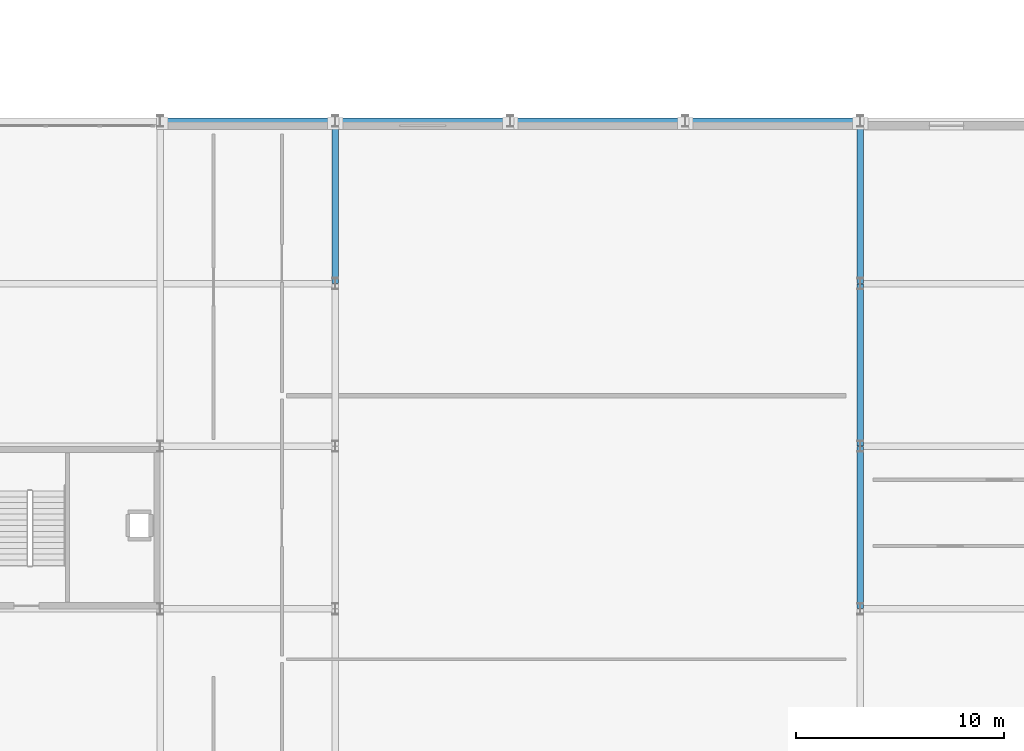
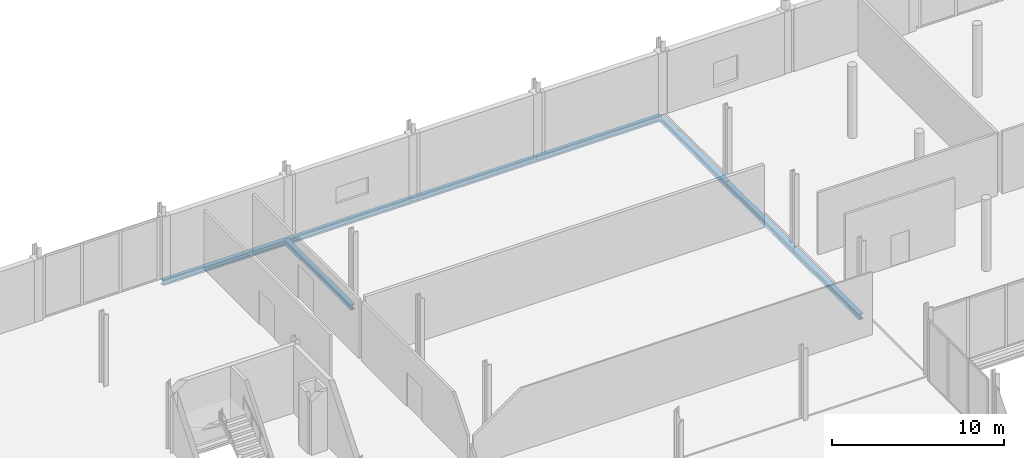
# One storey, part 45 of 105: 8 beams.
"""IFC4 building model written with IfcOpenShell, lengths in metres."""

import ifcopenshell
import ifcopenshell.guid

model = None  # the IFC model being written
_history = None  # IfcOwnerHistory: only IFC2X3 demands one
_inside = {}  # id of a spatial element -> (the spatial element, [elements in it])
_under = {}  # id of a project, library or spatial element -> (it, [spatial elements below it])
_declared = {}  # id of a project -> (the project, [libraries it declares])
_typed = {}  # id of a type object -> (the type object, [elements of that type])
_made_of = {}  # id of a material, layer set ... -> (it, [elements and type objects made of it])


def new_model(schema):
    """Start an empty IFC model of exactly this schema.

    Asked for "IFC4X3", IfcOpenShell would pick the latest addendum, in which some entities
    have other attributes; the version numbers below select the first issue.
    IFC2X3 requires an IfcOwnerHistory on every rooted entity: one is made here for all.
    """
    global model, _history
    if schema == "IFC4X3":
        model = ifcopenshell.file(schema_version=(4, 3, 0, 0))
    else:
        model = ifcopenshell.file(schema=schema)
    _inside.clear()
    _under.clear()
    _declared.clear()
    _typed.clear()
    _made_of.clear()
    _history = None
    if model.schema == "IFC2X3":
        org = make("IfcOrganization", Name="unknown")
        user = make(
            "IfcPersonAndOrganization",
            ThePerson=make("IfcPerson", FamilyName="unknown"),
            TheOrganization=org,
        )
        app = make(
            "IfcApplication",
            ApplicationDeveloper=org,
            Version="unknown",
            ApplicationFullName="unknown",
            ApplicationIdentifier="unknown",
        )
        _history = make(
            "IfcOwnerHistory",
            OwningUser=user,
            OwningApplication=app,
            ChangeAction="ADDED",
            CreationDate=0,
        )
    return model


def make(cls, **values):
    """One entity of the class cls with the attributes given. An attribute that is None is left unset."""
    return model.create_entity(
        cls, **{name: value for name, value in values.items() if value is not None}
    )


def rooted(cls, **values):
    """An entity with a GlobalId (a new one), such as an element, a storey or a relation."""
    return make(cls, GlobalId=ifcopenshell.guid.new(), OwnerHistory=_history, **values)


def si_unit(unit_type, name, prefix=None):
    """IfcSIUnit, for example si_unit("LENGTHUNIT", "METRE", prefix="MILLI")."""
    return make("IfcSIUnit", UnitType=unit_type, Prefix=prefix, Name=name)


def assignment(units):
    """IfcUnitAssignment: the units of a project."""
    return None if units is None else make("IfcUnitAssignment", Units=units)


def point(xyz):
    """IfcCartesianPoint."""
    return None if xyz is None else make("IfcCartesianPoint", Coordinates=xyz)


def direction(xyz):
    """IfcDirection."""
    return None if xyz is None else make("IfcDirection", DirectionRatios=xyz)


def frame(location, z_axis=None, x_axis=None):
    """IfcAxis2Placement3D, a coordinate frame: its origin and axes. An axis left out is left unset."""
    return make(
        "IfcAxis2Placement3D",
        Location=point(location),
        Axis=direction(z_axis),
        RefDirection=direction(x_axis),
    )


def frame_2d(location, x_axis=None):
    """IfcAxis2Placement2D, a coordinate frame in the plane: its origin and x axis."""
    return make(
        "IfcAxis2Placement2D", Location=point(location), RefDirection=direction(x_axis)
    )


def origin():
    """The frame at (0, 0, 0) with its axes left unset."""
    return frame((0.0, 0.0, 0.0))


def origin_2d():
    """The frame at (0, 0) in the plane with its x axis left unset."""
    return frame_2d((0.0, 0.0))


def place(relative_to, where):
    """IfcLocalPlacement: puts the frame where relative to a parent placement (None: the world)."""
    return make(
        "IfcLocalPlacement", PlacementRelTo=relative_to, RelativePlacement=where
    )


def context(
    kind, dimensions, precision=None, world=None, true_north=None, identifier=None
):
    """IfcGeometricRepresentationContext, for example the 3D "Model" context."""
    return make(
        "IfcGeometricRepresentationContext",
        ContextIdentifier=identifier,
        ContextType=kind,
        CoordinateSpaceDimension=dimensions,
        Precision=precision,
        WorldCoordinateSystem=world,
        TrueNorth=true_north,
    )


def subcontext(parent, identifier, kind, view, scale=None):
    """IfcGeometricRepresentationSubContext, for example "Body" below "Model"."""
    return make(
        "IfcGeometricRepresentationSubContext",
        ContextIdentifier=identifier,
        ContextType=kind,
        ParentContext=parent,
        TargetScale=scale,
        TargetView=view,
    )


def project(units=None, contexts=None):
    """IfcProject with its units and contexts."""
    return rooted(
        "IfcProject",
        Name="project",
        RepresentationContexts=contexts,
        UnitsInContext=assignment(units),
    )


def spatial(cls, under=None, at=None, **own):
    """A site, building, storey or space (cls), placed at a placement, below another one or the project."""
    s = rooted(cls, ObjectPlacement=at, **own)
    if under is not None:
        _under.setdefault(under.id(), (under, []))[1].append(s)
    return s


def profile(cls, at=None, kind="AREA", **sizes):
    """A parametric profile (cls). Its sizes go by their IFC names, for example OverallWidth=200.0."""
    return make(cls, ProfileType=kind, Position=at, **sizes)


def i_section(**sizes):
    """IfcIShapeProfileDef."""
    return profile("IfcIShapeProfileDef", **sizes)


def extrude(swept, where, along, depth):
    """IfcExtrudedAreaSolid: the profile swept, set in the frame where, extruded along a direction by depth."""
    return make(
        "IfcExtrudedAreaSolid",
        SweptArea=swept,
        Position=where,
        ExtrudedDirection=direction(along),
        Depth=depth,
    )


def shape(context_of_items, identifier, shape_type, items):
    """IfcShapeRepresentation: the items that make up one representation, for example the "Body"."""
    return make(
        "IfcShapeRepresentation",
        ContextOfItems=context_of_items,
        RepresentationIdentifier=identifier,
        RepresentationType=shape_type,
        Items=items,
    )


def material(Name=None, Category=None):
    """IfcMaterial."""
    return make("IfcMaterial", Name=Name, Category=Category)


def material_profile(
    of_material, cross_section, Name=None, Category=None, Priority=None
):
    """IfcMaterialProfile: a cross section and its material."""
    return make(
        "IfcMaterialProfile",
        Name=Name,
        Material=of_material,
        Profile=cross_section,
        Priority=Priority,
        Category=Category,
    )


def profile_set(profiles, Name=None, composite=None):
    """IfcMaterialProfileSet."""
    return make(
        "IfcMaterialProfileSet",
        Name=Name,
        MaterialProfiles=profiles,
        CompositeProfile=composite,
    )


def made_of(thing, what):
    """Note that an element or type object is made of a material, layer set ...; save() writes the relation."""
    if what is not None:
        _made_of.setdefault(what.id(), (what, []))[1].append(thing)
    return thing


def type_object(cls, material=None, **own):
    """A type object (cls), such as IfcWallType, which elements share."""
    return made_of(rooted(cls, **own), material)


def element(
    cls,
    number,
    at=None,
    inside=None,
    cuts=None,
    type_object=None,
    material=None,
    context=None,
    identifier="Body",
    shape_type=None,
    held_by="IfcProductDefinitionShape",
    body=None,
    shapes=None,
    **own,
):
    """One element of the class cls, such as IfcWall. Its Tag is "e" and its number.

    at: its placement. inside: the storey or other place that contains it. cuts: it is an
    opening in that element (IfcRelVoidsElement). A single representation is given by context,
    identifier, shape_type and body (its items); several are given by shapes. held_by: the class
    of the entity that holds the representations. save() writes the other relations.
    """
    e = rooted(cls, Tag="e%d" % number, ObjectPlacement=at, **own)
    if body is not None:
        shapes = [shape(context, identifier, shape_type, body)]
    if shapes is not None:
        e.Representation = make(held_by, Representations=shapes)
    if inside is not None:
        _inside.setdefault(inside.id(), (inside, []))[1].append(e)
    if cuts is not None:
        rooted(
            "IfcRelVoidsElement", RelatingBuildingElement=cuts, RelatedOpeningElement=e
        )
    if type_object is not None:
        _typed.setdefault(type_object.id(), (type_object, []))[1].append(e)
    return made_of(e, material)


def aggregate(whole, parts):
    """IfcRelAggregates: a whole, such as a stair, and the parts it consists of."""
    return rooted("IfcRelAggregates", RelatingObject=whole, RelatedObjects=parts)


def save(model, path):
    """Write the relations noted so far, then the file.

    IfcRelAggregates (storeys below a building ...), IfcRelContainedInSpatialStructure (elements
    in a storey), IfcRelDefinesByType, IfcRelAssociatesMaterial and IfcRelDeclares: one each for
    every whole, place, type object, material and project.
    """
    for whole, parts in _under.values():
        aggregate(whole, parts)
    for where, things in _inside.values():
        rooted(
            "IfcRelContainedInSpatialStructure",
            RelatedElements=things,
            RelatingStructure=where,
        )
    for kind, things in _typed.values():
        rooted("IfcRelDefinesByType", RelatedObjects=things, RelatingType=kind)
    for what, things in _made_of.values():
        rooted("IfcRelAssociatesMaterial", RelatedObjects=things, RelatingMaterial=what)
    for by, libraries in _declared.values():
        rooted("IfcRelDeclares", RelatingContext=by, RelatedDefinitions=libraries)
    model.write(path)


model = new_model("IFC4")

# Units and contexts
model_context = context("Model", 3, precision=1e-05, world=origin(), true_north=direction((0.0, 1.0)))
body_context = subcontext(model_context, "Body", "Model", "MODEL_VIEW")
ifc_project = project(units=[si_unit("LENGTHUNIT", "METRE"), si_unit("AREAUNIT", "SQUARE_METRE"), si_unit("VOLUMEUNIT", "CUBIC_METRE"), si_unit("PLANEANGLEUNIT", "RADIAN"), si_unit("MASSUNIT", "GRAM", prefix="KILO")], contexts=[model_context])

# Site, building, storey
site_placement = place(None, origin())
site = spatial("IfcSite", under=ifc_project, at=site_placement, CompositionType="ELEMENT")
building_placement = place(site_placement, origin())
building = spatial("IfcBuilding", under=site, at=building_placement, Name="Nabrawat Pavilion Hospital", CompositionType="ELEMENT")
storey_placement = place(building_placement, frame((0.0, 0.0, 5.10009765625)))
storey = spatial("IfcBuildingStorey", under=building, at=storey_placement, Name="L01", CompositionType="ELEMENT", Elevation=5.10009765625)

# Beams
ifc_material = material(Name="Steel S355", Category="steel")
ifc_material_profile_1 = material_profile(ifc_material, i_section(OverallWidth=0.300048828125, OverallDepth=0.389892578125, WebThickness=0.010986328125, FlangeThickness=0.01904296875, FilletRadius=0.027099609375, at=origin_2d()), Name="HEA 400")
ifc_profile_set_1 = profile_set([ifc_material_profile_1], Name="Steel S355")
beam_type_1 = type_object("IfcBeamType", Name="Perimeter Moment Spandrel Beam HEA 400", PredefinedType="SPANDREL", material=ifc_profile_set_1)
beam_1_placement = place(storey_placement, frame((58.800048828125, 93.6201171875, -0.47509765625), z_axis=(0.0, 1.0, 0.0), x_axis=(-1.0, 0.0, 0.0)))
element("IfcBeam", 1, at=beam_1_placement, inside=storey, type_object=beam_type_1, Name="L01 Primary Y Beam 754", PredefinedType="SPANDREL", context=body_context, shape_type="SweptSolid", body=[
    extrude(i_section(OverallWidth=0.300048828125, OverallDepth=0.389892578125, WebThickness=0.010986328125, FlangeThickness=0.01904296875, FilletRadius=0.027099609375, at=origin_2d()), origin(), (0.0, 0.0, 1.0), 7.759765625),
])
for number, where, z_axis, x_axis, name in (
    (2, (58.800048828125, 101.419921875, -0.47509765625), (0.0, 1.0, 0.0), (-1.0, 0.0, 0.0), "L01 Primary Y Beam 755"),
    (3, (58.800048828125, 109.219970703125, -0.47509765625), (0.0, 1.0, 0.0), (-1.0, 0.0, 0.0), "L01 Primary Y Beam 756"),
):
    element("IfcBeam", number, at=place(storey_placement, frame(where, z_axis=z_axis, x_axis=x_axis)), inside=storey, type_object=beam_type_1, Name=name, PredefinedType="SPANDREL", context=body_context, shape_type="SweptSolid", body=[
        extrude(i_section(OverallWidth=0.300048828125, OverallDepth=0.389892578125, WebThickness=0.010986328125, FlangeThickness=0.01904296875, FilletRadius=0.027099609375, at=origin_2d()), origin(), (0.0, 0.0, 1.0), 7.760009765625),
    ])
ifc_material_profile_2 = material_profile(ifc_material, i_section(OverallWidth=0.300048828125, OverallDepth=0.360107421875, WebThickness=0.012451171875, FlangeThickness=0.0224609375, FilletRadius=0.027099609375, at=origin_2d()), Name="HEB 360")
ifc_profile_set_2 = profile_set([ifc_material_profile_2], Name="Steel S355")
beam_type_2 = type_object("IfcBeamType", Name="Surgical Perimeter Spandrel HEB 360", PredefinedType="SPANDREL", material=ifc_profile_set_2)
beam_2_placement = place(storey_placement, frame((25.219970703125, 117.0, -0.4501953125), z_axis=(1.0, 0.0, 0.0), x_axis=(0.0, 1.0, 0.0)))
element("IfcBeam", 4, at=beam_2_placement, inside=storey, type_object=beam_type_2, Name="L01 Primary X Girder 666", PredefinedType="SPANDREL", context=body_context, shape_type="SweptSolid", body=[
    extrude(i_section(OverallWidth=0.300048828125, OverallDepth=0.360107421875, WebThickness=0.012451171875, FlangeThickness=0.0224609375, FilletRadius=0.027099609375, at=origin_2d()), origin(), (0.0, 0.0, 1.0), 8.360107421875),
])
for number, where, z_axis, x_axis, name in (
    (5, (33.6201171875, 117.0, -0.4501953125), (1.0, 0.0, 0.0), (0.0, 1.0, 0.0), "L01 Primary X Girder 667"),
    (6, (42.02001953125, 117.0, -0.4501953125), (1.0, 0.0, 0.0), (0.0, 1.0, 0.0), "L01 Primary X Girder 668"),
):
    element("IfcBeam", number, at=place(storey_placement, frame(where, z_axis=z_axis, x_axis=x_axis)), inside=storey, type_object=beam_type_2, Name=name, PredefinedType="SPANDREL", context=body_context, shape_type="SweptSolid", body=[
        extrude(i_section(OverallWidth=0.300048828125, OverallDepth=0.360107421875, WebThickness=0.012451171875, FlangeThickness=0.0224609375, FilletRadius=0.027099609375, at=origin_2d()), origin(), (0.0, 0.0, 1.0), 8.35986328125),
    ])
beam_3_placement = place(storey_placement, frame((50.419921875, 117.0, -0.4501953125), z_axis=(1.0, 0.0, 0.0), x_axis=(0.0, 1.0, 0.0)))
element("IfcBeam", 7, at=beam_3_placement, inside=storey, type_object=beam_type_2, Name="L01 Primary X Girder 669", PredefinedType="SPANDREL", context=body_context, shape_type="SweptSolid", body=[
    extrude(i_section(OverallWidth=0.300048828125, OverallDepth=0.360107421875, WebThickness=0.012451171875, FlangeThickness=0.0224609375, FilletRadius=0.027099609375, at=origin_2d()), origin(), (0.0, 0.0, 1.0), 8.360107421875),
])
ifc_material_profile_3 = material_profile(ifc_material, i_section(OverallWidth=0.300048828125, OverallDepth=0.35009765625, WebThickness=0.009521484375, FlangeThickness=0.017578125, FilletRadius=0.027099609375, at=origin_2d()), Name="HEA 360")
ifc_profile_set_3 = profile_set([ifc_material_profile_3], Name="Steel S355")
beam_type_3 = type_object("IfcBeamType", Name="Surgical Stiffened Beam HEA 360", PredefinedType="BEAM", material=ifc_profile_set_3)
beam_4_placement = place(storey_placement, frame((33.60009765625, 109.219970703125, -0.445068359375), z_axis=(0.0, 1.0, 0.0), x_axis=(-1.0, 0.0, 0.0)))
element("IfcBeam", 8, at=beam_4_placement, inside=storey, type_object=beam_type_3, Name="L01 Primary Y Beam 744", PredefinedType="BEAM", context=body_context, shape_type="SweptSolid", body=[
    extrude(i_section(OverallWidth=0.300048828125, OverallDepth=0.35009765625, WebThickness=0.009521484375, FlangeThickness=0.017578125, FilletRadius=0.027099609375, at=origin_2d()), origin(), (0.0, 0.0, 1.0), 7.760009765625),
])

save(model, "model.ifc")
